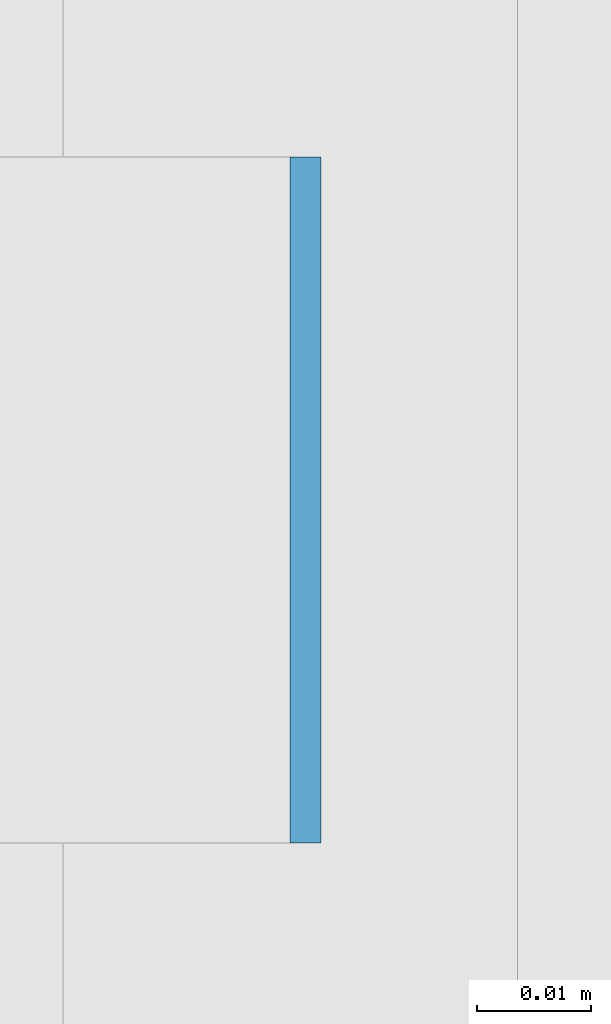
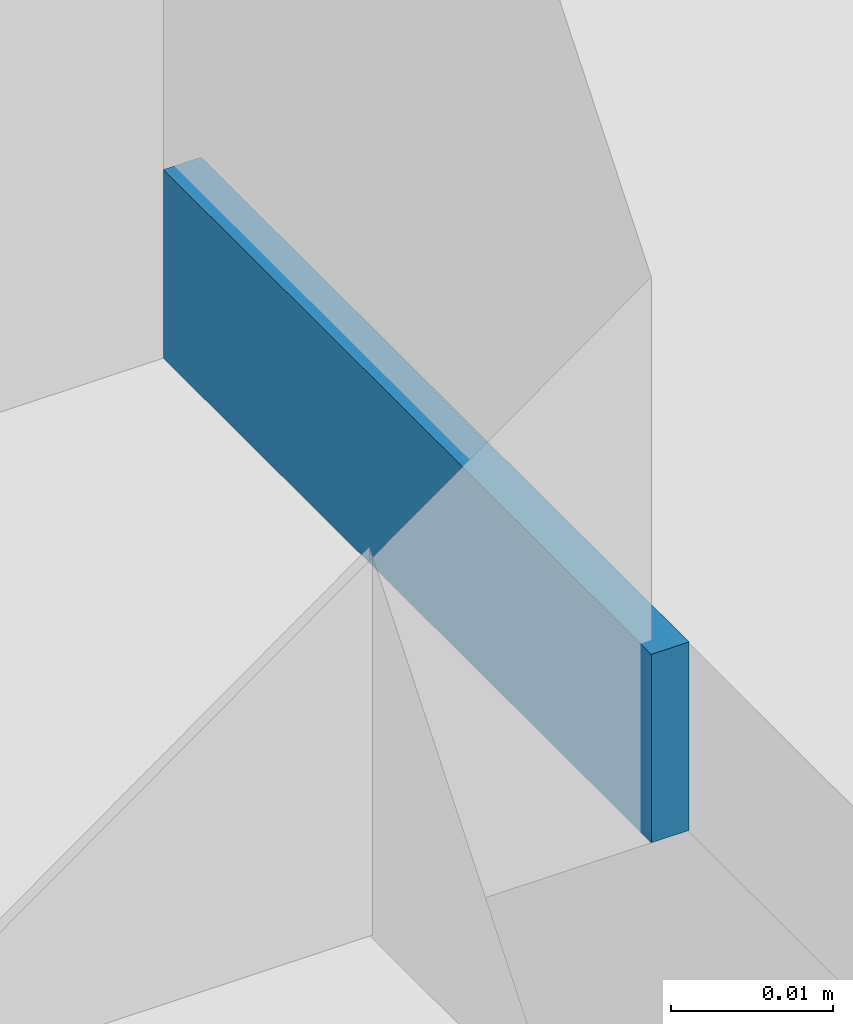
# One storey, part 376 of 646: 1 discrete accessory.
"""IFC4 building model written with IfcOpenShell, lengths in metres."""

import ifcopenshell
import ifcopenshell.guid

model = None  # the IFC model being written
_history = None  # IfcOwnerHistory: only IFC2X3 demands one
_inside = {}  # id of a spatial element -> (the spatial element, [elements in it])
_under = {}  # id of a project, library or spatial element -> (it, [spatial elements below it])
_declared = {}  # id of a project -> (the project, [libraries it declares])
_typed = {}  # id of a type object -> (the type object, [elements of that type])
_made_of = {}  # id of a material, layer set ... -> (it, [elements and type objects made of it])


def new_model(schema):
    """Start an empty IFC model of exactly this schema.

    Asked for "IFC4X3", IfcOpenShell would pick the latest addendum, in which some entities
    have other attributes; the version numbers below select the first issue.
    IFC2X3 requires an IfcOwnerHistory on every rooted entity: one is made here for all.
    """
    global model, _history
    if schema == "IFC4X3":
        model = ifcopenshell.file(schema_version=(4, 3, 0, 0))
    else:
        model = ifcopenshell.file(schema=schema)
    _inside.clear()
    _under.clear()
    _declared.clear()
    _typed.clear()
    _made_of.clear()
    _history = None
    if model.schema == "IFC2X3":
        org = make("IfcOrganization", Name="unknown")
        user = make(
            "IfcPersonAndOrganization",
            ThePerson=make("IfcPerson", FamilyName="unknown"),
            TheOrganization=org,
        )
        app = make(
            "IfcApplication",
            ApplicationDeveloper=org,
            Version="unknown",
            ApplicationFullName="unknown",
            ApplicationIdentifier="unknown",
        )
        _history = make(
            "IfcOwnerHistory",
            OwningUser=user,
            OwningApplication=app,
            ChangeAction="ADDED",
            CreationDate=0,
        )
    return model


def make(cls, **values):
    """One entity of the class cls with the attributes given. An attribute that is None is left unset."""
    return model.create_entity(
        cls, **{name: value for name, value in values.items() if value is not None}
    )


def rooted(cls, **values):
    """An entity with a GlobalId (a new one), such as an element, a storey or a relation."""
    return make(cls, GlobalId=ifcopenshell.guid.new(), OwnerHistory=_history, **values)


def si_unit(unit_type, name, prefix=None):
    """IfcSIUnit, for example si_unit("LENGTHUNIT", "METRE", prefix="MILLI")."""
    return make("IfcSIUnit", UnitType=unit_type, Prefix=prefix, Name=name)


def assignment(units):
    """IfcUnitAssignment: the units of a project."""
    return None if units is None else make("IfcUnitAssignment", Units=units)


def point(xyz):
    """IfcCartesianPoint."""
    return None if xyz is None else make("IfcCartesianPoint", Coordinates=xyz)


def direction(xyz):
    """IfcDirection."""
    return None if xyz is None else make("IfcDirection", DirectionRatios=xyz)


def frame(location, z_axis=None, x_axis=None):
    """IfcAxis2Placement3D, a coordinate frame: its origin and axes. An axis left out is left unset."""
    return make(
        "IfcAxis2Placement3D",
        Location=point(location),
        Axis=direction(z_axis),
        RefDirection=direction(x_axis),
    )


def frame_2d(location, x_axis=None):
    """IfcAxis2Placement2D, a coordinate frame in the plane: its origin and x axis."""
    return make(
        "IfcAxis2Placement2D", Location=point(location), RefDirection=direction(x_axis)
    )


def origin():
    """The frame at (0, 0, 0) with its axes left unset."""
    return frame((0.0, 0.0, 0.0))


def origin_2d():
    """The frame at (0, 0) in the plane with its x axis left unset."""
    return frame_2d((0.0, 0.0))


def place(relative_to, where):
    """IfcLocalPlacement: puts the frame where relative to a parent placement (None: the world)."""
    return make(
        "IfcLocalPlacement", PlacementRelTo=relative_to, RelativePlacement=where
    )


def context(
    kind, dimensions, precision=None, world=None, true_north=None, identifier=None
):
    """IfcGeometricRepresentationContext, for example the 3D "Model" context."""
    return make(
        "IfcGeometricRepresentationContext",
        ContextIdentifier=identifier,
        ContextType=kind,
        CoordinateSpaceDimension=dimensions,
        Precision=precision,
        WorldCoordinateSystem=world,
        TrueNorth=true_north,
    )


def subcontext(parent, identifier, kind, view, scale=None):
    """IfcGeometricRepresentationSubContext, for example "Body" below "Model"."""
    return make(
        "IfcGeometricRepresentationSubContext",
        ContextIdentifier=identifier,
        ContextType=kind,
        ParentContext=parent,
        TargetScale=scale,
        TargetView=view,
    )


def project(units=None, contexts=None):
    """IfcProject with its units and contexts."""
    return rooted(
        "IfcProject",
        Name="project",
        RepresentationContexts=contexts,
        UnitsInContext=assignment(units),
    )


def spatial(cls, under=None, at=None, **own):
    """A site, building, storey or space (cls), placed at a placement, below another one or the project."""
    s = rooted(cls, ObjectPlacement=at, **own)
    if under is not None:
        _under.setdefault(under.id(), (under, []))[1].append(s)
    return s


def profile(cls, at=None, kind="AREA", **sizes):
    """A parametric profile (cls). Its sizes go by their IFC names, for example OverallWidth=200.0."""
    return make(cls, ProfileType=kind, Position=at, **sizes)


def rectangle(**sizes):
    """IfcRectangleProfileDef."""
    return profile("IfcRectangleProfileDef", **sizes)


def extrude(swept, where, along, depth):
    """IfcExtrudedAreaSolid: the profile swept, set in the frame where, extruded along a direction by depth."""
    return make(
        "IfcExtrudedAreaSolid",
        SweptArea=swept,
        Position=where,
        ExtrudedDirection=direction(along),
        Depth=depth,
    )


def shape(context_of_items, identifier, shape_type, items):
    """IfcShapeRepresentation: the items that make up one representation, for example the "Body"."""
    return make(
        "IfcShapeRepresentation",
        ContextOfItems=context_of_items,
        RepresentationIdentifier=identifier,
        RepresentationType=shape_type,
        Items=items,
    )


def material(Name=None, Category=None):
    """IfcMaterial."""
    return make("IfcMaterial", Name=Name, Category=Category)


def made_of(thing, what):
    """Note that an element or type object is made of a material, layer set ...; save() writes the relation."""
    if what is not None:
        _made_of.setdefault(what.id(), (what, []))[1].append(thing)
    return thing


def type_object(cls, material=None, **own):
    """A type object (cls), such as IfcWallType, which elements share."""
    return made_of(rooted(cls, **own), material)


def element(
    cls,
    number,
    at=None,
    inside=None,
    cuts=None,
    type_object=None,
    material=None,
    context=None,
    identifier="Body",
    shape_type=None,
    held_by="IfcProductDefinitionShape",
    body=None,
    shapes=None,
    **own,
):
    """One element of the class cls, such as IfcWall. Its Tag is "e" and its number.

    at: its placement. inside: the storey or other place that contains it. cuts: it is an
    opening in that element (IfcRelVoidsElement). A single representation is given by context,
    identifier, shape_type and body (its items); several are given by shapes. held_by: the class
    of the entity that holds the representations. save() writes the other relations.
    """
    e = rooted(cls, Tag="e%d" % number, ObjectPlacement=at, **own)
    if body is not None:
        shapes = [shape(context, identifier, shape_type, body)]
    if shapes is not None:
        e.Representation = make(held_by, Representations=shapes)
    if inside is not None:
        _inside.setdefault(inside.id(), (inside, []))[1].append(e)
    if cuts is not None:
        rooted(
            "IfcRelVoidsElement", RelatingBuildingElement=cuts, RelatedOpeningElement=e
        )
    if type_object is not None:
        _typed.setdefault(type_object.id(), (type_object, []))[1].append(e)
    return made_of(e, material)


def aggregate(whole, parts):
    """IfcRelAggregates: a whole, such as a stair, and the parts it consists of."""
    return rooted("IfcRelAggregates", RelatingObject=whole, RelatedObjects=parts)


def save(model, path):
    """Write the relations noted so far, then the file.

    IfcRelAggregates (storeys below a building ...), IfcRelContainedInSpatialStructure (elements
    in a storey), IfcRelDefinesByType, IfcRelAssociatesMaterial and IfcRelDeclares: one each for
    every whole, place, type object, material and project.
    """
    for whole, parts in _under.values():
        aggregate(whole, parts)
    for where, things in _inside.values():
        rooted(
            "IfcRelContainedInSpatialStructure",
            RelatedElements=things,
            RelatingStructure=where,
        )
    for kind, things in _typed.values():
        rooted("IfcRelDefinesByType", RelatedObjects=things, RelatingType=kind)
    for what, things in _made_of.values():
        rooted("IfcRelAssociatesMaterial", RelatedObjects=things, RelatingMaterial=what)
    for by, libraries in _declared.values():
        rooted("IfcRelDeclares", RelatingContext=by, RelatedDefinitions=libraries)
    model.write(path)


model = new_model("IFC4")

# Units and contexts
model_context = context("Model", 3, precision=1e-05, world=origin(), true_north=direction((0.0, 1.0)))
body_context = subcontext(model_context, "Body", "Model", "MODEL_VIEW")
ifc_project = project(units=[si_unit("LENGTHUNIT", "METRE"), si_unit("AREAUNIT", "SQUARE_METRE"), si_unit("VOLUMEUNIT", "CUBIC_METRE"), si_unit("PLANEANGLEUNIT", "RADIAN"), si_unit("MASSUNIT", "GRAM", prefix="KILO")], contexts=[model_context])

# Site, building, storey
site_placement = place(None, origin())
site = spatial("IfcSite", under=ifc_project, at=site_placement, CompositionType="ELEMENT")
building_placement = place(site_placement, origin())
building = spatial("IfcBuilding", under=site, at=building_placement, Name="Silverbay Arena", CompositionType="ELEMENT")
storey_placement = place(building_placement, frame((0.0, 0.0, 33.5)))
storey = spatial("IfcBuildingStorey", under=building, at=storey_placement, Name="L05", CompositionType="ELEMENT", Elevation=33.5)

# Discrete accessory
ifc_material = material(Name="Steel S355", Category="steel")
discrete_accessory_type = type_object("IfcDiscreteAccessoryType", Name="Steel bracket plate", PredefinedType="BRACKET", material=ifc_material)
discrete_accessory_placement = place(storey_placement, frame((53.871337890625, 105.428466796875, 4.0), z_axis=(0.0, 0.0, 1.0), x_axis=(1.0, 0.0, 0.0)))
element("IfcDiscreteAccessory", 1, at=discrete_accessory_placement, inside=storey, type_object=discrete_accessory_type, Name="Curtain wall packing plate", PredefinedType="BRACKET", context=body_context, shape_type="SweptSolid", body=[
    extrude(rectangle(XDim=0.002685546875, YDim=0.06005859375, at=origin_2d()), origin(), (0.0, 0.0, 1.0), 0.01416015625),
])

save(model, "model.ifc")
